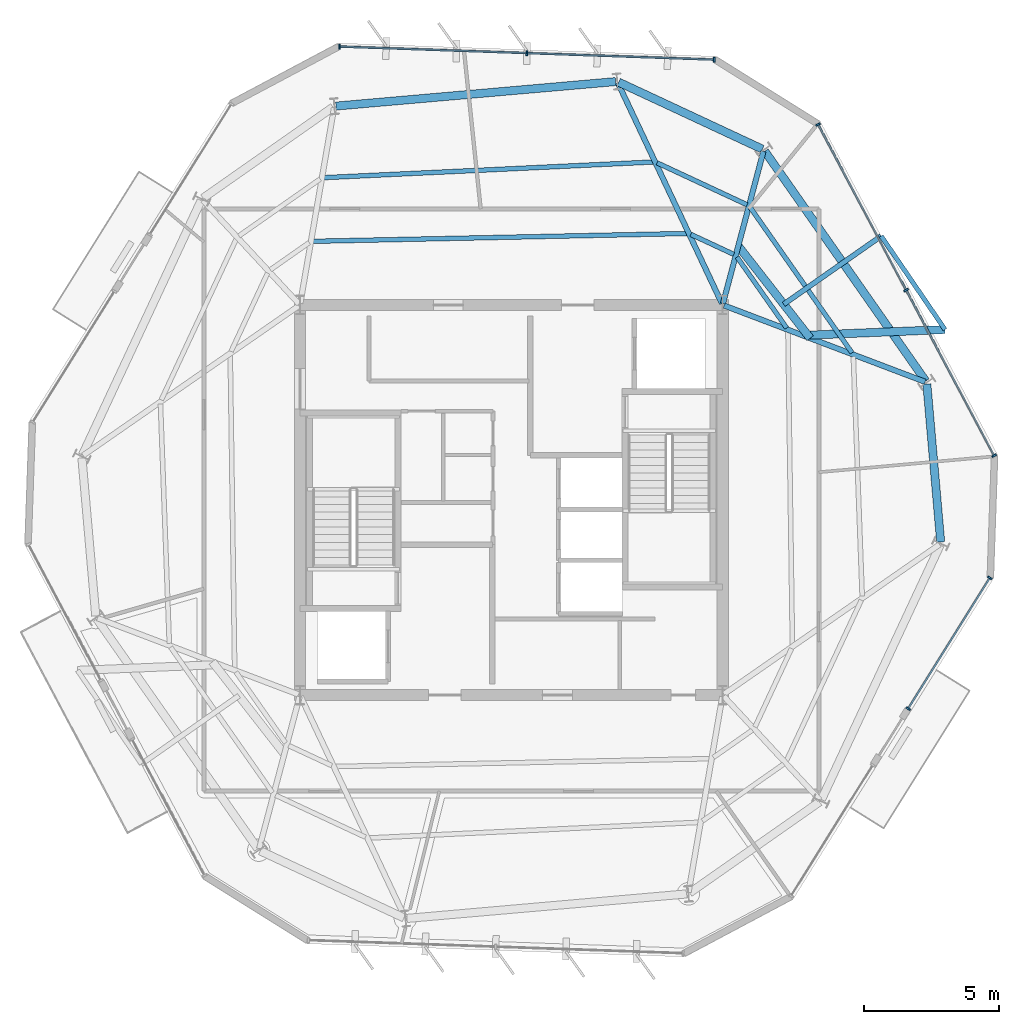
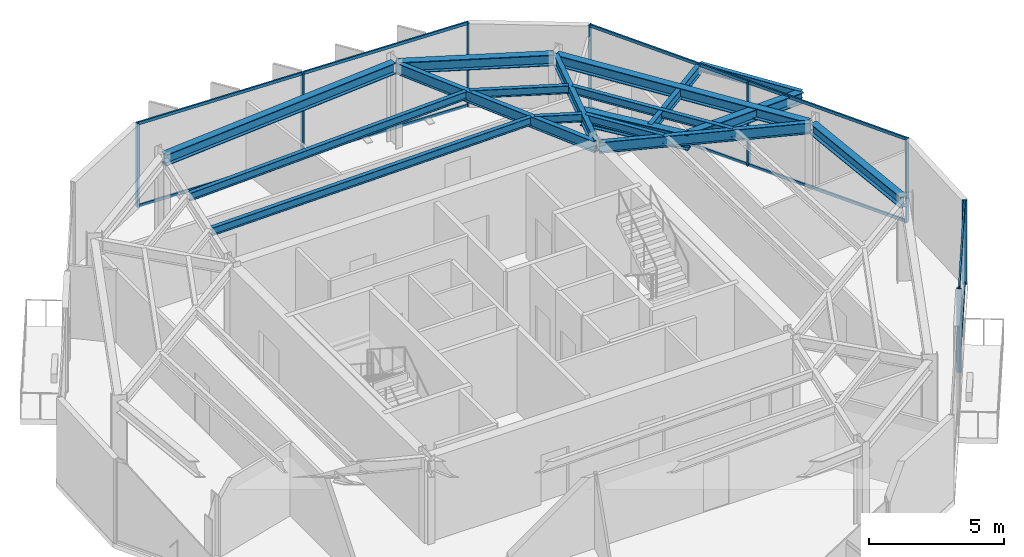
# One storey, part 5 of 12: 18 members, 17 beams, 3 elements without a shape of their own.
"""IFC4 building model written with IfcOpenShell, lengths in metres."""

from ifc_helpers import new_model, si_unit, direction, frame, origin, origin_2d, place, context, subcontext, project, spatial, rectangle, i_section, extrude, material, layer, layer_set, material_profile, profile_set, type_object, element, aggregate, save


model = new_model("IFC4")

# Units and contexts
model_context = context("Model", 3, precision=1e-05, world=origin(), true_north=direction((0.0, 1.0)))
body_context = subcontext(model_context, "Body", "Model", "MODEL_VIEW")
ifc_project = project(units=[si_unit("LENGTHUNIT", "METRE"), si_unit("AREAUNIT", "SQUARE_METRE"), si_unit("VOLUMEUNIT", "CUBIC_METRE"), si_unit("PLANEANGLEUNIT", "RADIAN"), si_unit("MASSUNIT", "GRAM", prefix="KILO")], contexts=[model_context])

# Site, building, storey
site_placement = place(None, origin())
site = spatial("IfcSite", under=ifc_project, at=site_placement, CompositionType="ELEMENT")
building_placement = place(site_placement, origin())
building = spatial("IfcBuilding", under=site, at=building_placement, Name="Kranzbogen Civic Tower", CompositionType="ELEMENT")
storey_placement = place(building_placement, frame((0.0, 0.0, 258.199951171875)))
storey = spatial("IfcBuildingStorey", under=building, at=storey_placement, Name="L62", CompositionType="ELEMENT", Elevation=258.199951171875)

# Beam
ifc_material_1 = material(Name="Steel S355", Category="steel")
ifc_material_profile_1 = material_profile(ifc_material_1, i_section(OverallWidth=0.18994140625, OverallDepth=0.449951171875, WebThickness=0.009521484375, FlangeThickness=0.0146484375, at=origin_2d()), Name="IPE 450")
ifc_profile_set_1 = profile_set([ifc_material_profile_1], Name="Steel S355")
beam_type_1 = type_object("IfcBeamType", Name="Braced Terrace Edge Beam IPE 450", PredefinedType="BEAM", material=ifc_profile_set_1)
beam_1_placement = place(storey_placement, frame((35.055908203125, 32.22509765625, 3.525146484375), z_axis=(0.819179663282, 0.573536990321, 0.0), x_axis=(-0.573536990321, 0.819179663282, 0.0)))
element("IfcBeam", 1, at=beam_1_placement, inside=storey, type_object=beam_type_1, Name="L63 back-spanned terrace beam L63-TB1-2", PredefinedType="BEAM", context=body_context, shape_type="SweptSolid", body=[
    extrude(i_section(OverallWidth=0.18994140625, OverallDepth=0.449951171875, WebThickness=0.009521484375, FlangeThickness=0.0146484375, at=origin_2d()), origin(), (0.0, 0.0, 1.0), 4.389892578125),
])

# Curtain wall, members
ifc_material_2 = material(Name="Pale Anodised Aluminium", Category="aluminium")
ifc_layer = layer(ifc_material_2, 0.219970703125, Name="Pale Anodised Aluminium")
ifc_layer_set = layer_set([ifc_layer], Name="Pale Anodised Aluminium")
curtain_wall_type = type_object("IfcCurtainWallType", Name="Zone 4 Stick Curtain Wall System CW-05", PredefinedType="USERDEFINED", material=ifc_layer_set)
curtain_wall_1_placement = place(storey_placement, origin())
curtain_wall_1 = element("IfcCurtainWall", 2, at=curtain_wall_1_placement, inside=storey, type_object=curtain_wall_type, Name="L62 curtain wall CW-L62-F1", ObjectType="STICK CURTAIN WALL", PredefinedType="USERDEFINED")
ifc_material_profile_2 = material_profile(ifc_material_2, rectangle(XDim=0.06494140625, YDim=0.179931640625, at=origin_2d()), Name="ALU-M 65x180")
ifc_profile_set_2 = profile_set([ifc_material_profile_2], Name="Pale Anodised Aluminium")
member_type_1 = type_object("IfcMemberType", Name="Curtain Wall Mullion ALU-M 65x180", PredefinedType="MULLION", material=ifc_profile_set_2)
member_1_placement = place(storey_placement, frame((32.492919921875, 41.2529296875, 0.0), z_axis=(0.0, 0.0, 1.0), x_axis=(-0.999391301516, 0.034885906233, 0.0)))
member_1 = element("IfcMember", 3, at=member_1_placement, type_object=member_type_1, Name="CW-05 mullion 1", PredefinedType="MULLION", context=body_context, shape_type="SweptSolid", body=[
    extrude(rectangle(XDim=0.06494140625, YDim=0.179931640625, at=origin_2d()), origin(), (0.0, 0.0, 1.0), 3.780029296875),
])
member_2_placement = place(storey_placement, frame((25.575927734375, 41.494384765625, 0.0), z_axis=(0.0, 0.0, 1.0), x_axis=(-0.999391301516, 0.034885906233, 0.0)))
member_2 = element("IfcMember", 4, at=member_2_placement, type_object=member_type_1, Name="CW-05 mullion 2", PredefinedType="MULLION", context=body_context, shape_type="SweptSolid", body=[
    extrude(rectangle(XDim=0.06494140625, YDim=0.179931640625, at=origin_2d()), origin(), (0.0, 0.0, 1.0), 3.780029296875),
])
member_3_placement = place(storey_placement, frame((18.658935546875, 41.73583984375, 0.0), z_axis=(0.0, 0.0, 1.0), x_axis=(-0.999391301516, 0.034885906233, 0.0)))
member_3 = element("IfcMember", 5, at=member_3_placement, type_object=member_type_1, Name="CW-05 mullion 3", PredefinedType="MULLION", context=body_context, shape_type="SweptSolid", body=[
    extrude(rectangle(XDim=0.06494140625, YDim=0.179931640625, at=origin_2d()), origin(), (0.0, 0.0, 1.0), 3.780029296875),
])

curtain_wall_2_placement = place(storey_placement, origin())
curtain_wall_2 = element("IfcCurtainWall", 6, at=curtain_wall_2_placement, inside=storey, type_object=curtain_wall_type, Name="L62 curtain wall CW-L62-F5-S2", ObjectType="STICK CURTAIN WALL", PredefinedType="USERDEFINED")
member_4_placement = place(storey_placement, frame((39.64892578125, 17.29736328125, 0.0), z_axis=(0.0, 0.0, 1.0), x_axis=(0.529936405268, 0.848037385008, 0.0)))
member_4 = element("IfcMember", 7, at=member_4_placement, type_object=member_type_1, Name="CW-05 mullion 1", PredefinedType="MULLION", context=body_context, shape_type="SweptSolid", body=[
    extrude(rectangle(XDim=0.06494140625, YDim=0.179931640625, at=origin_2d()), origin(), (0.0, 0.0, 1.0), 3.780029296875),
])
member_5_placement = place(storey_placement, frame((42.6640625, 22.12255859375, 0.0), z_axis=(0.0, 0.0, 1.0), x_axis=(0.529936405268, 0.848037385008, 0.0)))
member_5 = element("IfcMember", 8, at=member_5_placement, type_object=member_type_1, Name="CW-05 mullion 2", PredefinedType="MULLION", context=body_context, shape_type="SweptSolid", body=[
    extrude(rectangle(XDim=0.06494140625, YDim=0.179931640625, at=origin_2d()), origin(), (0.0, 0.0, 1.0), 3.780029296875),
])

curtain_wall_3_placement = place(storey_placement, origin())
curtain_wall_3 = element("IfcCurtainWall", 9, at=curtain_wall_3_placement, inside=storey, type_object=curtain_wall_type, Name="L62 curtain wall CW-L62-F6", ObjectType="STICK CURTAIN WALL", PredefinedType="USERDEFINED")
member_6_placement = place(storey_placement, frame((42.822021484375, 26.637451171875, 0.0), z_axis=(0.0, 0.0, 1.0), x_axis=(-0.469460258676, 0.882953603268, 0.0)))
member_6 = element("IfcMember", 10, at=member_6_placement, type_object=member_type_1, Name="CW-05 mullion 1", PredefinedType="MULLION", context=body_context, shape_type="SweptSolid", body=[
    extrude(rectangle(XDim=0.06494140625, YDim=0.179931640625, at=origin_2d()), origin(), (0.0, 0.0, 1.0), 3.780029296875),
])
member_7_placement = place(storey_placement, frame((39.572998046875, 32.748046875, 0.0), z_axis=(0.0, 0.0, 1.0), x_axis=(-0.469460258676, 0.882953603268, 0.0)))
member_7 = element("IfcMember", 11, at=member_7_placement, type_object=member_type_1, Name="CW-05 mullion 2", PredefinedType="MULLION", context=body_context, shape_type="SweptSolid", body=[
    extrude(rectangle(XDim=0.06494140625, YDim=0.179931640625, at=origin_2d()), origin(), (0.0, 0.0, 1.0), 3.780029296875),
])
member_8_placement = place(storey_placement, frame((36.323974609375, 38.8583984375, 0.0), z_axis=(0.0, 0.0, 1.0), x_axis=(-0.469460258676, 0.882953603268, 0.0)))
member_8 = element("IfcMember", 12, at=member_8_placement, type_object=member_type_1, Name="CW-05 mullion 3", PredefinedType="MULLION", context=body_context, shape_type="SweptSolid", body=[
    extrude(rectangle(XDim=0.06494140625, YDim=0.179931640625, at=origin_2d()), origin(), (0.0, 0.0, 1.0), 3.780029296875),
])

# Member
ifc_material_profile_3 = material_profile(ifc_material_2, rectangle(XDim=0.06494140625, YDim=0.135009765625, at=origin_2d()), Name="ALU-T 65x135")
ifc_profile_set_3 = profile_set([ifc_material_profile_3], Name="Pale Anodised Aluminium")
member_type_2 = type_object("IfcMemberType", Name="Curtain Wall Transom ALU-T 65x135", PredefinedType="USERDEFINED", material=ifc_profile_set_3)
member_9_placement = place(storey_placement, frame((32.463134765625, 41.254150390625, 0.030029296875), z_axis=(-0.999391843814, 0.034870367321, 0.0), x_axis=(-0.034870367321, -0.999391843814, 0.0)))
member_9 = element("IfcMember", 13, at=member_9_placement, type_object=member_type_2, Name="CW-05 transom 1.1", ObjectType="TRANSOM", PredefinedType="USERDEFINED", context=body_context, shape_type="SweptSolid", body=[
    extrude(rectangle(XDim=0.06494140625, YDim=0.135009765625, at=origin_2d()), origin(), (0.0, 0.0, 1.0), 6.861328125),
])

member_10_placement = place(storey_placement, frame((32.463134765625, 41.254150390625, 3.75), z_axis=(-0.999391843814, 0.034870367321, 0.0), x_axis=(-0.034870367321, -0.999391843814, 0.0)))
member_10 = element("IfcMember", 14, at=member_10_placement, type_object=member_type_2, Name="CW-05 transom 1.2", ObjectType="TRANSOM", PredefinedType="USERDEFINED", context=body_context, shape_type="SweptSolid", body=[
    extrude(rectangle(XDim=0.06494140625, YDim=0.135009765625, at=origin_2d()), origin(), (0.0, 0.0, 1.0), 6.861328125),
])

member_11_placement = place(storey_placement, frame((25.5458984375, 41.49560546875, 0.030029296875), z_axis=(-0.999391800547, 0.034871607368, 0.0), x_axis=(-0.034871607368, -0.999391800547, 0.0)))
member_11 = element("IfcMember", 15, at=member_11_placement, type_object=member_type_2, Name="CW-05 transom 2.1", ObjectType="TRANSOM", PredefinedType="USERDEFINED", context=body_context, shape_type="SweptSolid", body=[
    extrude(rectangle(XDim=0.06494140625, YDim=0.135009765625, at=origin_2d()), origin(), (0.0, 0.0, 1.0), 6.861083984375),
])

member_12_placement = place(storey_placement, frame((25.5458984375, 41.49560546875, 3.75), z_axis=(-0.999391800547, 0.034871607368, 0.0), x_axis=(-0.034871607368, -0.999391800547, 0.0)))
member_12 = element("IfcMember", 16, at=member_12_placement, type_object=member_type_2, Name="CW-05 transom 2.2", ObjectType="TRANSOM", PredefinedType="USERDEFINED", context=body_context, shape_type="SweptSolid", body=[
    extrude(rectangle(XDim=0.06494140625, YDim=0.135009765625, at=origin_2d()), origin(), (0.0, 0.0, 1.0), 6.861083984375),
])

aggregate(curtain_wall_1, [member_1, member_2, member_3, member_9, member_10, member_11, member_12])

member_13_placement = place(storey_placement, frame((39.664794921875, 17.322998046875, 0.030029296875), z_axis=(0.529940466855, 0.848034846919, 0.0), x_axis=(-0.848034846919, 0.529940466855, 0.0)))
member_13 = element("IfcMember", 17, at=member_13_placement, type_object=member_type_2, Name="CW-05 transom 1.1", ObjectType="TRANSOM", PredefinedType="USERDEFINED", context=body_context, shape_type="SweptSolid", body=[
    extrude(rectangle(XDim=0.06494140625, YDim=0.135009765625, at=origin_2d()), origin(), (0.0, 0.0, 1.0), 5.629638671875),
])

member_14_placement = place(storey_placement, frame((39.664794921875, 17.322998046875, 3.75), z_axis=(0.529940466855, 0.848034846919, 0.0), x_axis=(-0.848034846919, 0.529940466855, 0.0)))
member_14 = element("IfcMember", 18, at=member_14_placement, type_object=member_type_2, Name="CW-05 transom 1.2", ObjectType="TRANSOM", PredefinedType="USERDEFINED", context=body_context, shape_type="SweptSolid", body=[
    extrude(rectangle(XDim=0.06494140625, YDim=0.135009765625, at=origin_2d()), origin(), (0.0, 0.0, 1.0), 5.629638671875),
])

aggregate(curtain_wall_2, [member_4, member_5, member_13, member_14])

member_15_placement = place(storey_placement, frame((42.807861328125, 26.6640625, 0.030029296875), z_axis=(-0.469464829161, 0.882951173158, 0.0), x_axis=(-0.882951173158, -0.469464829161, 0.0)))
member_15 = element("IfcMember", 19, at=member_15_placement, type_object=member_type_2, Name="CW-05 transom 1.1", ObjectType="TRANSOM", PredefinedType="USERDEFINED", context=body_context, shape_type="SweptSolid", body=[
    extrude(rectangle(XDim=0.06494140625, YDim=0.135009765625, at=origin_2d()), origin(), (0.0, 0.0, 1.0), 6.8603515625),
])

member_16_placement = place(storey_placement, frame((42.807861328125, 26.6640625, 3.75), z_axis=(-0.469464829161, 0.882951173158, 0.0), x_axis=(-0.882951173158, -0.469464829161, 0.0)))
member_16 = element("IfcMember", 20, at=member_16_placement, type_object=member_type_2, Name="CW-05 transom 1.2", ObjectType="TRANSOM", PredefinedType="USERDEFINED", context=body_context, shape_type="SweptSolid", body=[
    extrude(rectangle(XDim=0.06494140625, YDim=0.135009765625, at=origin_2d()), origin(), (0.0, 0.0, 1.0), 6.8603515625),
])

member_17_placement = place(storey_placement, frame((39.558837890625, 32.7744140625, 0.030029296875), z_axis=(-0.469450078195, 0.882959016083, 0.0), x_axis=(-0.882959016083, -0.469450078195, 0.0)))
member_17 = element("IfcMember", 21, at=member_17_placement, type_object=member_type_2, Name="CW-05 transom 2.1", ObjectType="TRANSOM", PredefinedType="USERDEFINED", context=body_context, shape_type="SweptSolid", body=[
    extrude(rectangle(XDim=0.06494140625, YDim=0.135009765625, at=origin_2d()), origin(), (0.0, 0.0, 1.0), 6.860595703125),
])

member_18_placement = place(storey_placement, frame((39.558837890625, 32.7744140625, 3.75), z_axis=(-0.469450078195, 0.882959016083, 0.0), x_axis=(-0.882959016083, -0.469450078195, 0.0)))
member_18 = element("IfcMember", 22, at=member_18_placement, type_object=member_type_2, Name="CW-05 transom 2.2", ObjectType="TRANSOM", PredefinedType="USERDEFINED", context=body_context, shape_type="SweptSolid", body=[
    extrude(rectangle(XDim=0.06494140625, YDim=0.135009765625, at=origin_2d()), origin(), (0.0, 0.0, 1.0), 6.860595703125),
])

aggregate(curtain_wall_3, [member_6, member_7, member_8, member_15, member_16, member_17, member_18])

# Beams
ifc_material_profile_4 = material_profile(ifc_material_1, i_section(OverallWidth=0.300048828125, OverallDepth=0.5, WebThickness=0.014404296875, FlangeThickness=0.028076171875, at=origin_2d()), Name="HEB 500")
ifc_profile_set_4 = profile_set([ifc_material_profile_4], Name="Steel S355")
beam_type_2 = type_object("IfcBeamType", Name="Perimeter Tube Spandrel Beam HEB 500", PredefinedType="SPANDREL", material=ifc_profile_set_4)
beam_2_placement = place(storey_placement, frame((40.85009765625, 23.449951171875, 3.530029296875), z_axis=(-0.087326362434, 0.99617975608, 0.0), x_axis=(-0.99617975608, -0.087326362434, 0.0)))
element("IfcBeam", 23, at=beam_2_placement, inside=storey, type_object=beam_type_2, Name="L62 perimeter spandrel beam 06", PredefinedType="SPANDREL", context=body_context, shape_type="SweptSolid", body=[
    extrude(i_section(OverallWidth=0.300048828125, OverallDepth=0.5, WebThickness=0.014404296875, FlangeThickness=0.028076171875, at=origin_2d()), origin(), (0.0, 0.0, 1.0), 5.8515625),
])
beam_3_placement = place(storey_placement, frame((40.300048828125, 29.387939453125, 3.530029296875), z_axis=(-0.573577759301, 0.819151117948, 0.0), x_axis=(-0.819151117948, -0.573577759301, 0.0)))
element("IfcBeam", 24, at=beam_3_placement, inside=storey, type_object=beam_type_2, Name="L62 perimeter spandrel beam 07", PredefinedType="SPANDREL", context=body_context, shape_type="SweptSolid", body=[
    extrude(i_section(OverallWidth=0.300048828125, OverallDepth=0.5, WebThickness=0.014404296875, FlangeThickness=0.028076171875, at=origin_2d()), origin(), (0.0, 0.0, 1.0), 10.36328125),
])
beam_4_placement = place(storey_placement, frame((34.26806640625, 37.950927734375, 3.530029296875), z_axis=(-0.906289661556, 0.422657129784, 0.0), x_axis=(-0.422657129784, -0.906289661556, 0.0)))
element("IfcBeam", 25, at=beam_4_placement, inside=storey, type_object=beam_type_2, Name="L62 perimeter spandrel beam 08", PredefinedType="SPANDREL", context=body_context, shape_type="SweptSolid", body=[
    extrude(i_section(OverallWidth=0.300048828125, OverallDepth=0.5, WebThickness=0.014404296875, FlangeThickness=0.028076171875, at=origin_2d()), origin(), (0.0, 0.0, 1.0), 5.853759765625),
])
beam_5_placement = place(storey_placement, frame((28.84912109375, 40.445068359375, 3.530029296875), z_axis=(-0.996186373839, -0.087250837114, 0.0), x_axis=(0.087250837114, -0.996186373839, 0.0)))
element("IfcBeam", 26, at=beam_5_placement, inside=storey, type_object=beam_type_2, Name="L62 perimeter spandrel beam 09", PredefinedType="SPANDREL", context=body_context, shape_type="SweptSolid", body=[
    extrude(i_section(OverallWidth=0.300048828125, OverallDepth=0.5, WebThickness=0.014404296875, FlangeThickness=0.028076171875, at=origin_2d()), origin(), (0.0, 0.0, 1.0), 10.361572265625),
])
beam_6_placement = place(storey_placement, frame((35.947021484375, 31.0830078125, 3.5), z_axis=(0.999157119327, 0.041049371476, 0.0), x_axis=(-0.041049371476, 0.999157119327, 0.0)))
element("IfcBeam", 27, at=beam_6_placement, inside=storey, type_object=beam_type_2, Name="L63 back-spanned terrace beam L63-TB1-1", PredefinedType="SPANDREL", context=body_context, shape_type="SweptSolid", body=[
    extrude(i_section(OverallWidth=0.300048828125, OverallDepth=0.5, WebThickness=0.014404296875, FlangeThickness=0.028076171875, at=origin_2d()), origin(), (0.0, 0.0, 1.0), 5.067138671875),
])
ifc_material_profile_5 = material_profile(ifc_material_1, i_section(OverallWidth=0.300048828125, OverallDepth=0.699951171875, WebThickness=0.01708984375, FlangeThickness=0.031982421875, at=origin_2d()), Name="HEB 700")
ifc_profile_set_5 = profile_set([ifc_material_profile_5], Name="Steel S355")
beam_type_3 = type_object("IfcBeamType", Name="Perimeter Tube Spandrel Beam HEB 700", PredefinedType="SPANDREL", material=ifc_profile_set_5)
beam_7_placement = place(storey_placement, frame((36.033935546875, 30.971923828125, 3.400146484375), z_axis=(-0.615153431403, 0.788407417414, 0.0), x_axis=(-0.788407417414, -0.615153431403, 0.0)))
element("IfcBeam", 28, at=beam_7_placement, inside=storey, type_object=beam_type_3, Name="L63 balcony back-span header girder L63-TB1", PredefinedType="SPANDREL", context=body_context, shape_type="SweptSolid", body=[
    extrude(i_section(OverallWidth=0.300048828125, OverallDepth=0.699951171875, WebThickness=0.01708984375, FlangeThickness=0.031982421875, at=origin_2d()), origin(), (0.0, 0.0, 1.0), 4.317626953125),
])
ifc_material_profile_6 = material_profile(ifc_material_1, i_section(OverallWidth=0.199951171875, OverallDepth=0.5, WebThickness=0.01025390625, FlangeThickness=0.01611328125, at=origin_2d()), Name="IPE 500")
ifc_profile_set_6 = profile_set([ifc_material_profile_6], Name="Steel S355")
beam_type_4 = type_object("IfcBeamType", Name="Radial Tower Floor Girder IPE 500", PredefinedType="BEAM", material=ifc_profile_set_6)
beam_8_placement = place(storey_placement, frame((40.278076171875, 29.360107421875, 3.530029296875), z_axis=(-0.934848709689, 0.355046320913, 0.0), x_axis=(-0.355046320913, -0.934848709689, 0.0)))
element("IfcBeam", 29, at=beam_8_placement, inside=storey, type_object=beam_type_4, Name="L62 radial floor girder 07", PredefinedType="BEAM", context=body_context, shape_type="SweptSolid", body=[
    extrude(i_section(OverallWidth=0.199951171875, OverallDepth=0.5, WebThickness=0.01025390625, FlangeThickness=0.01611328125, at=origin_2d()), origin(), (0.0, 0.0, 1.0), 7.939453125),
])
beam_9_placement = place(storey_placement, frame((34.306884765625, 37.867919921875, 3.530029296875), z_axis=(-0.257016017622, -0.966407143333, 0.0), x_axis=(0.966407143333, -0.257016017622, 0.0)))
element("IfcBeam", 30, at=beam_9_placement, inside=storey, type_object=beam_type_4, Name="L62 radial floor girder 08", PredefinedType="BEAM", context=body_context, shape_type="SweptSolid", body=[
    extrude(i_section(OverallWidth=0.199951171875, OverallDepth=0.5, WebThickness=0.01025390625, FlangeThickness=0.01611328125, at=origin_2d()), origin(), (0.0, 0.0, 1.0), 5.804931640625),
])
beam_10_placement = place(storey_placement, frame((28.93505859375, 40.39599609375, 3.530029296875), z_axis=(0.426460441273, -0.904506214478, 0.0), x_axis=(0.904506214478, 0.426460441273, 0.0)))
element("IfcBeam", 31, at=beam_10_placement, inside=storey, type_object=beam_type_4, Name="L62 radial floor girder 09", PredefinedType="BEAM", context=body_context, shape_type="SweptSolid", body=[
    extrude(i_section(OverallWidth=0.199951171875, OverallDepth=0.5, WebThickness=0.01025390625, FlangeThickness=0.01611328125, at=origin_2d()), origin(), (0.0, 0.0, 1.0), 9.001708984375),
])
ifc_material_profile_7 = material_profile(ifc_material_1, i_section(OverallWidth=0.169921875, OverallDepth=0.360107421875, WebThickness=0.008056640625, FlangeThickness=0.0126953125, at=origin_2d()), Name="IPE 360")
ifc_profile_set_7 = profile_set([ifc_material_profile_7], Name="Steel S355")
beam_type_5 = type_object("IfcBeamType", Name="Secondary Composite Floor Joist IPE 360", PredefinedType="JOIST", material=ifc_profile_set_7)
beam_11_placement = place(storey_placement, frame((37.575927734375, 30.43408203125, 3.60009765625), z_axis=(-0.573499872939, 0.819205649235, 0.0), x_axis=(-0.819205649235, -0.573499872939, 0.0)))
element("IfcBeam", 32, at=beam_11_placement, inside=storey, type_object=beam_type_5, Name="L62 secondary floor joist 1.07", PredefinedType="JOIST", context=body_context, shape_type="SweptSolid", body=[
    extrude(i_section(OverallWidth=0.169921875, OverallDepth=0.360107421875, WebThickness=0.008056640625, FlangeThickness=0.0126953125, at=origin_2d()), origin(), (0.0, 0.0, 1.0), 6.549072265625),
])
beam_12_placement = place(storey_placement, frame((35.1650390625, 31.35009765625, 3.60009765625), z_axis=(-0.573498248491, 0.819206786457, 0.0), x_axis=(-0.819206786457, -0.573498248491, 0.0)))
element("IfcBeam", 33, at=beam_12_placement, inside=storey, type_object=beam_type_5, Name="L62 secondary floor joist 2.07", PredefinedType="JOIST", context=body_context, shape_type="SweptSolid", body=[
    extrude(i_section(OverallWidth=0.169921875, OverallDepth=0.360107421875, WebThickness=0.008056640625, FlangeThickness=0.0126953125, at=origin_2d()), origin(), (0.0, 0.0, 1.0), 3.194580078125),
])
beam_13_placement = place(storey_placement, frame((33.701904296875, 35.89794921875, 3.60009765625), z_axis=(-0.906303996948, 0.422626389517, 0.0), x_axis=(-0.422626389517, -0.906303996948, 0.0)))
element("IfcBeam", 34, at=beam_13_placement, inside=storey, type_object=beam_type_5, Name="L62 secondary floor joist 1.08", PredefinedType="JOIST", context=body_context, shape_type="SweptSolid", body=[
    extrude(i_section(OverallWidth=0.169921875, OverallDepth=0.360107421875, WebThickness=0.008056640625, FlangeThickness=0.0126953125, at=origin_2d()), origin(), (0.0, 0.0, 1.0), 3.6630859375),
])
beam_14_placement = place(storey_placement, frame((33.215087890625, 34.06591796875, 3.60009765625), z_axis=(-0.906432174342, 0.422351409751, 0.0), x_axis=(-0.422351409751, -0.906432174342, 0.0)))
element("IfcBeam", 35, at=beam_14_placement, inside=storey, type_object=beam_type_5, Name="L62 secondary floor joist 2.08", PredefinedType="JOIST", context=body_context, shape_type="SweptSolid", body=[
    extrude(i_section(OverallWidth=0.169921875, OverallDepth=0.360107421875, WebThickness=0.008056640625, FlangeThickness=0.0126953125, at=origin_2d()), origin(), (0.0, 0.0, 1.0), 1.751953125),
])
beam_15_placement = place(storey_placement, frame((30.22998046875, 37.47607421875, 3.60009765625), z_axis=(-0.998871634781, -0.047491654324, 0.0), x_axis=(0.047491654324, -0.998871634781, 0.0)))
element("IfcBeam", 36, at=beam_15_placement, inside=storey, type_object=beam_type_5, Name="L62 secondary floor joist 1.09", PredefinedType="JOIST", context=body_context, shape_type="SweptSolid", body=[
    extrude(i_section(OverallWidth=0.169921875, OverallDepth=0.360107421875, WebThickness=0.008056640625, FlangeThickness=0.0126953125, at=origin_2d()), origin(), (0.0, 0.0, 1.0), 12.152587890625),
])
beam_16_placement = place(storey_placement, frame((31.47509765625, 34.837890625, 3.60009765625), z_axis=(-0.999780746893, -0.020939392104, 0.0), x_axis=(0.020939392104, -0.999780746893, 0.0)))
element("IfcBeam", 37, at=beam_16_placement, inside=storey, type_object=beam_type_5, Name="L62 secondary floor joist 2.09", PredefinedType="JOIST", context=body_context, shape_type="SweptSolid", body=[
    extrude(i_section(OverallWidth=0.169921875, OverallDepth=0.360107421875, WebThickness=0.008056640625, FlangeThickness=0.0126953125, at=origin_2d()), origin(), (0.0, 0.0, 1.0), 13.79296875),
])
beam_17_placement = place(storey_placement, frame((41.010009765625, 31.291015625, 3.570068359375), z_axis=(-0.564045182811, 0.825743926255, 0.0), x_axis=(-0.825743926255, -0.564045182811, 0.0)))
element("IfcBeam", 38, at=beam_17_placement, inside=storey, type_object=beam_type_5, Name="L63 terrace outer edge trimmer L63-TB1", PredefinedType="JOIST", context=body_context, shape_type="SweptSolid", body=[
    extrude(i_section(OverallWidth=0.169921875, OverallDepth=0.360107421875, WebThickness=0.008056640625, FlangeThickness=0.0126953125, at=origin_2d()), origin(), (0.0, 0.0, 1.0), 4.180419921875),
])

save(model, "model.ifc")
